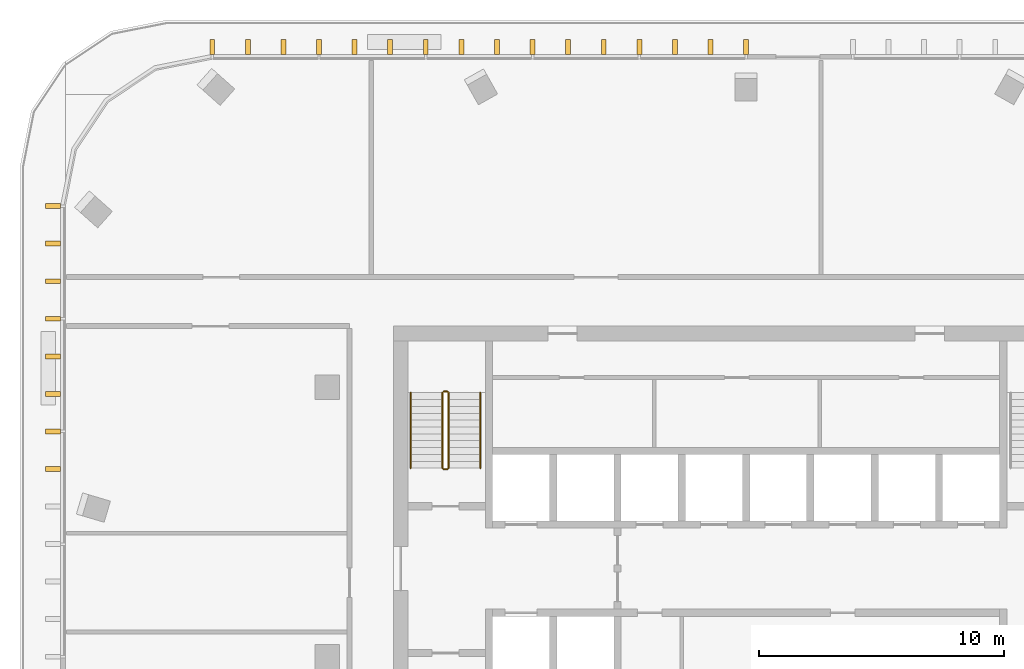
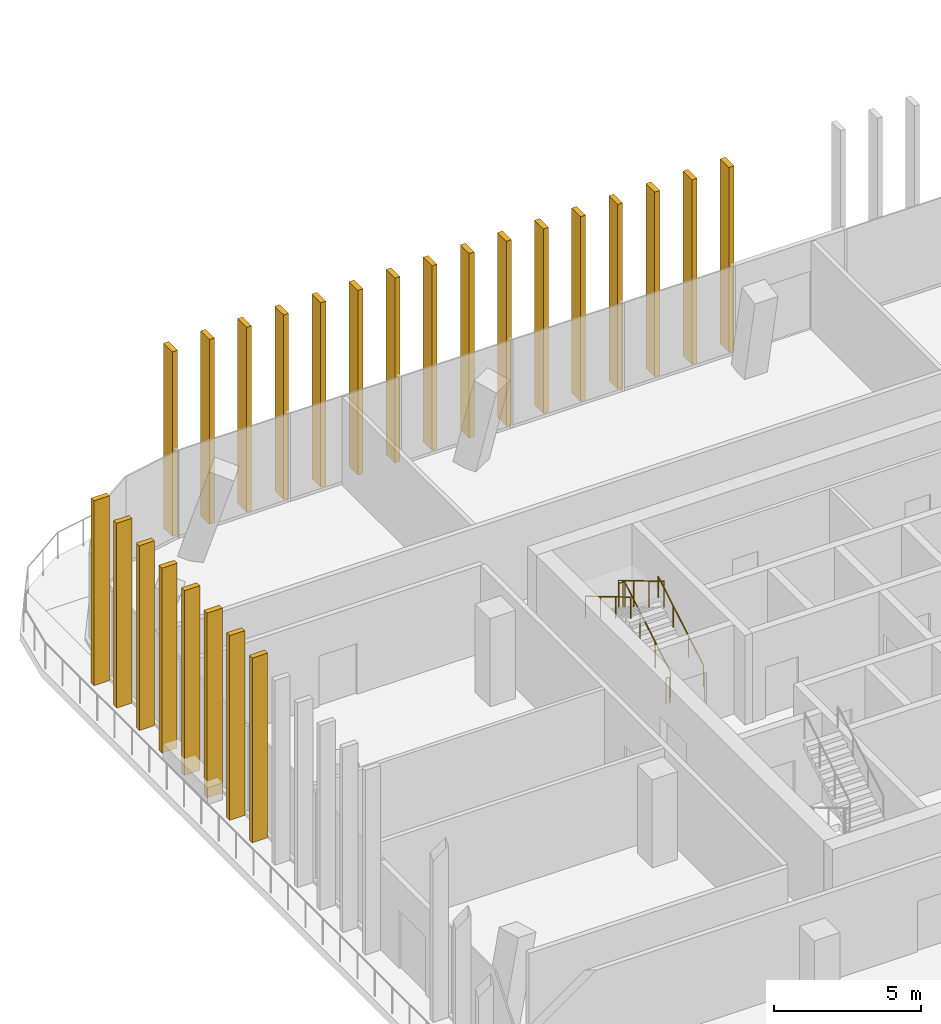
# One storey, part 15 of 16: 24 shading devices, 5 railings.
"""IFC4 building model written with IfcOpenShell, lengths in metres."""

from ifc_helpers import new_model, si_unit, direction, frame, origin, origin_2d, place, context, subcontext, project, spatial, rectangle, circle, extrude, material, type_object, element, save


model = new_model("IFC4")

# Units and contexts
model_context = context("Model", 3, precision=1e-05, world=origin(), true_north=direction((0.0, 1.0)))
body_context = subcontext(model_context, "Body", "Model", "MODEL_VIEW")
ifc_project = project(units=[si_unit("LENGTHUNIT", "METRE"), si_unit("AREAUNIT", "SQUARE_METRE"), si_unit("VOLUMEUNIT", "CUBIC_METRE"), si_unit("PLANEANGLEUNIT", "RADIAN"), si_unit("MASSUNIT", "GRAM", prefix="KILO")], contexts=[model_context])

# Site, building, storey
site_placement = place(None, origin())
site = spatial("IfcSite", under=ifc_project, at=site_placement, CompositionType="ELEMENT")
building_placement = place(site_placement, origin())
building = spatial("IfcBuilding", under=site, at=building_placement, Name="Mopane Tessera Tower", CompositionType="ELEMENT")
storey_placement = place(building_placement, frame((0.0, 0.0, 321.39990234375)))
storey = spatial("IfcBuildingStorey", under=building, at=storey_placement, Name="L70", CompositionType="ELEMENT", Elevation=321.39990234375)

# Shading devices
ifc_material_1 = material(Name="Glazed ceramic tile")
shading_device_type = type_object("IfcShadingDeviceType", Name="Ceramic tile fin 600 x 200 mm", PredefinedType="USERDEFINED", material=ifc_material_1)
for number, where, z_axis, x_axis, name in (
    (1, (0.0, 24.89990234375, 0.000244140625), (0.0, 0.0, 1.0), (-1.0, 0.0, 0.0), "e:fin:L70:N:5:0"),
    (2, (-1.453369140625, 24.89990234375, 0.000244140625), (0.0, 0.0, 1.0), (-1.0, 0.0, 0.0), "e:fin:L70:N:5:1"),
    (3, (-2.90673828125, 24.89990234375, 0.000244140625), (0.0, 0.0, 1.0), (-1.0, 0.0, 0.0), "e:fin:L70:N:5:2"),
    (4, (-4.360107421875, 24.89990234375, 0.000244140625), (0.0, 0.0, 1.0), (-1.0, 0.0, 0.0), "e:fin:L70:N:6:0"),
    (5, (-5.813232421875, 24.89990234375, 0.000244140625), (0.0, 0.0, 1.0), (-1.0, 0.0, 0.0), "e:fin:L70:N:6:1"),
    (6, (-7.2666015625, 24.89990234375, 0.000244140625), (0.0, 0.0, 1.0), (-1.0, 0.0, 0.0), "e:fin:L70:N:6:2"),
    (7, (-8.719970703125, 24.89990234375, 0.000244140625), (0.0, 0.0, 1.0), (-1.0, 0.0, 0.0), "e:fin:L70:N:7:0"),
    (8, (-10.17333984375, 24.89990234375, 0.000244140625), (0.0, 0.0, 1.0), (-1.0, 0.0, 0.0), "e:fin:L70:N:7:1"),
    (9, (-11.626708984375, 24.89990234375, 0.000244140625), (0.0, 0.0, 1.0), (-1.0, 0.0, 0.0), "e:fin:L70:N:7:2"),
    (10, (-13.080078125, 24.89990234375, 0.000244140625), (0.0, 0.0, 1.0), (-1.0, 0.0, 0.0), "e:fin:L70:N:8:0"),
    (11, (-14.533447265625, 24.89990234375, 0.000244140625), (0.0, 0.0, 1.0), (-1.0, 0.0, 0.0), "e:fin:L70:N:8:1"),
    (12, (-15.986572265625, 24.89990234375, 0.000244140625), (0.0, 0.0, 1.0), (-1.0, 0.0, 0.0), "e:fin:L70:N:8:2"),
    (13, (-17.43994140625, 24.89990234375, 0.000244140625), (0.0, 0.0, 1.0), (-1.0, 0.0, 0.0), "e:fin:L70:N:9:0"),
    (14, (-18.893310546875, 24.89990234375, 0.000244140625), (0.0, 0.0, 1.0), (-1.0, 0.0, 0.0), "e:fin:L70:N:9:1"),
    (15, (-20.3466796875, 24.89990234375, 0.000244140625), (0.0, 0.0, 1.0), (-1.0, 0.0, 0.0), "e:fin:L70:N:9:2"),
    (16, (-21.800048828125, 24.89990234375, 0.000244140625), (0.0, 0.0, 1.0), (-1.0, 0.0, 0.0), "e:fin:L70:N:9:3"),
    (17, (-28.300048828125, 18.39990234375, 0.000244140625), (0.0, 0.0, 1.0), (0.0, -1.0, 0.0), "e:fin:L70:W:0:0"),
    (18, (-28.300048828125, 16.86669921875, 0.000244140625), (0.0, 0.0, 1.0), (0.0, -1.0, 0.0), "e:fin:L70:W:0:1"),
    (19, (-28.300048828125, 15.333251953125, 0.000244140625), (0.0, 0.0, 1.0), (0.0, -1.0, 0.0), "e:fin:L70:W:0:2"),
    (20, (-28.300048828125, 13.800048828125, 0.000244140625), (0.0, 0.0, 1.0), (0.0, -1.0, 0.0), "e:fin:L70:W:1:0"),
    (21, (-28.300048828125, 12.2666015625, 0.000244140625), (0.0, 0.0, 1.0), (0.0, -1.0, 0.0), "e:fin:L70:W:1:1"),
    (22, (-28.300048828125, 10.7333984375, 0.000244140625), (0.0, 0.0, 1.0), (0.0, -1.0, 0.0), "e:fin:L70:W:1:2"),
    (23, (-28.300048828125, 9.199951171875, 0.000244140625), (0.0, 0.0, 1.0), (0.0, -1.0, 0.0), "e:fin:L70:W:2:0"),
    (24, (-28.300048828125, 7.666748046875, 0.000244140625), (0.0, 0.0, 1.0), (0.0, -1.0, 0.0), "e:fin:L70:W:2:1"),
):
    element("IfcShadingDevice", number, at=place(storey_placement, frame(where, z_axis=z_axis, x_axis=x_axis)), inside=storey, type_object=shading_device_type, Name=name, ObjectType="FIN", PredefinedType="USERDEFINED", context=body_context, shape_type="SweptSolid", body=[
        extrude(rectangle(XDim=0.199951171875, YDim=0.60009765625, at=origin_2d()), origin(), (0.0, 0.0, 1.0), 7.64990234375),
    ])

# Railings
ifc_material_2 = material(Name="Powder-coated steel balustrade", Category="steel")
railing_type_1 = type_object("IfcRailingType", Name="Escape stair guard 1100 mm", PredefinedType="GUARDRAIL", material=ifc_material_2)
railing_1_placement = place(storey_placement, frame((-12.14990234375, 7.699951171875, 0.166748046875)))
element("IfcRailing", 25, at=railing_1_placement, inside=storey, type_object=railing_type_1, Name="L70 ST2 stair guard 1", PredefinedType="GUARDRAIL", context=body_context, shape_type="SweptSolid", body=[
    extrude(circle(Radius=0.02392578125, at=origin_2d()), frame((0.0, 0.0, 1.076171875), z_axis=(0.0, 0.859308565015, 0.511457515432), x_axis=(-1.0, 0.0, 0.0)), (0.0, 0.0, 1.0), 3.58447265625),
    extrude(circle(Radius=0.02392578125, at=origin_2d()), frame((0.0, 3.080078125, 2.9091796875), z_axis=(-0.707106781187, 0.707106781187, 0.0), x_axis=(-0.707106781187, -0.707106781187, 0.0)), (0.0, 0.0, 1.0), 0.07080078125),
    extrude(circle(Radius=0.02392578125, at=origin_2d()), frame((-0.050048828125, 3.130126953125, 2.9091796875), z_axis=(-1.0, 0.0, 0.0), x_axis=(0.0, -1.0, 0.0)), (0.0, 0.0, 1.0), 0.150146484375),
    extrude(circle(Radius=0.02099609375, at=origin_2d()), origin(), (0.0, 0.0, 1.0), 1.052001953125),
    extrude(circle(Radius=0.02099609375, at=origin_2d()), frame((0.0, 1.026611328125, 0.611083984375)), (0.0, 0.0, 1.0), 1.052001953125),
    extrude(circle(Radius=0.02099609375, at=origin_2d()), frame((0.0, 2.053466796875, 1.22216796875)), (0.0, 0.0, 1.0), 1.052001953125),
    extrude(circle(Radius=0.02099609375, at=origin_2d()), frame((0.0, 3.080078125, 1.833251953125)), (0.0, 0.0, 1.0), 1.052001953125),
    extrude(circle(Radius=0.02099609375, at=origin_2d()), frame((-0.050048828125, 3.130126953125, 1.833251953125)), (0.0, 0.0, 1.0), 1.052001953125),
    extrude(circle(Radius=0.02099609375, at=origin_2d()), frame((-0.2001953125, 3.130126953125, 1.833251953125)), (0.0, 0.0, 1.0), 1.052001953125),
])
railing_2_placement = place(storey_placement, frame((-12.39990234375, 10.780029296875, 2.166748046875)))
element("IfcRailing", 26, at=railing_2_placement, inside=storey, type_object=railing_type_1, Name="L70 ST2 stair guard 2", PredefinedType="GUARDRAIL", context=body_context, shape_type="SweptSolid", body=[
    extrude(circle(Radius=0.02392578125, at=origin_2d()), frame((0.0, 0.0, 1.076171875), z_axis=(0.0, -0.859308565015, 0.511457515432), x_axis=(1.0, 0.0, 0.0)), (0.0, 0.0, 1.0), 3.58447265625),
    extrude(circle(Radius=0.02099609375, at=origin_2d()), origin(), (0.0, 0.0, 1.0), 1.052001953125),
    extrude(circle(Radius=0.02099609375, at=origin_2d()), frame((0.0, -1.026611328125, 0.611083984375)), (0.0, 0.0, 1.0), 1.052001953125),
    extrude(circle(Radius=0.02099609375, at=origin_2d()), frame((0.0, -2.053466796875, 1.22216796875)), (0.0, 0.0, 1.0), 1.052001953125),
    extrude(circle(Radius=0.02099609375, at=origin_2d()), frame((0.0, -3.080078125, 1.833251953125)), (0.0, 0.0, 1.0), 1.052001953125),
])
railing_3_placement = place(storey_placement, frame((-12.199951171875, 7.64990234375, 0.0)))
element("IfcRailing", 27, at=railing_3_placement, inside=storey, type_object=railing_type_1, Name="L70 ST2 stair guard 3", PredefinedType="GUARDRAIL", context=body_context, shape_type="SweptSolid", body=[
    extrude(circle(Radius=0.02392578125, at=origin_2d()), frame((0.0, 0.0, 1.076171875), z_axis=(-1.0, 0.0, 0.0), x_axis=(0.0, -1.0, 0.0)), (0.0, 0.0, 1.0), 0.150146484375),
    extrude(circle(Radius=0.02099609375, at=origin_2d()), origin(), (0.0, 0.0, 1.0), 1.052001953125),
    extrude(circle(Radius=0.02099609375, at=origin_2d()), frame((-0.150146484375, 0.0, 0.0)), (0.0, 0.0, 1.0), 1.052001953125),
])
ifc_material_3 = material(Name="Powder-coated steel balustrade", Category="steel")
railing_type_2 = type_object("IfcRailingType", Name="Escape stair handrail 900 mm", PredefinedType="HANDRAIL", material=ifc_material_3)
railing_4_placement = place(storey_placement, frame((-10.85009765625, 7.699951171875, 0.166748046875)))
element("IfcRailing", 28, at=railing_4_placement, inside=storey, type_object=railing_type_2, Name="L70 ST2 stair handrail 1", PredefinedType="HANDRAIL", context=body_context, shape_type="SweptSolid", body=[
    extrude(circle(Radius=0.02392578125, at=origin_2d()), frame((0.0, 0.0, 0.8759765625), z_axis=(0.0, 0.859308565015, 0.511457515432), x_axis=(-1.0, 0.0, 0.0)), (0.0, 0.0, 1.0), 3.58447265625),
    extrude(circle(Radius=0.02099609375, at=origin_2d()), origin(), (0.0, 0.0, 1.0), 0.851806640625),
    extrude(circle(Radius=0.02099609375, at=origin_2d()), frame((0.0, 1.026611328125, 0.611083984375)), (0.0, 0.0, 1.0), 0.851806640625),
    extrude(circle(Radius=0.02099609375, at=origin_2d()), frame((0.0, 2.053466796875, 1.22216796875)), (0.0, 0.0, 1.0), 0.851806640625),
    extrude(circle(Radius=0.02099609375, at=origin_2d()), frame((0.0, 3.080078125, 1.833251953125)), (0.0, 0.0, 1.0), 0.851806640625),
])
railing_5_placement = place(storey_placement, frame((-13.699951171875, 10.780029296875, 2.166748046875)))
element("IfcRailing", 29, at=railing_5_placement, inside=storey, type_object=railing_type_2, Name="L70 ST2 stair handrail 2", PredefinedType="HANDRAIL", context=body_context, shape_type="SweptSolid", body=[
    extrude(circle(Radius=0.02392578125, at=origin_2d()), frame((0.0, 0.0, 0.8759765625), z_axis=(0.0, -0.859308565015, 0.511457515432), x_axis=(1.0, 0.0, 0.0)), (0.0, 0.0, 1.0), 3.58447265625),
    extrude(circle(Radius=0.02099609375, at=origin_2d()), origin(), (0.0, 0.0, 1.0), 0.851806640625),
    extrude(circle(Radius=0.02099609375, at=origin_2d()), frame((0.0, -1.026611328125, 0.611083984375)), (0.0, 0.0, 1.0), 0.851806640625),
    extrude(circle(Radius=0.02099609375, at=origin_2d()), frame((0.0, -2.053466796875, 1.22216796875)), (0.0, 0.0, 1.0), 0.851806640625),
    extrude(circle(Radius=0.02099609375, at=origin_2d()), frame((0.0, -3.080078125, 1.833251953125)), (0.0, 0.0, 1.0), 0.851806640625),
])

save(model, "model.ifc")
